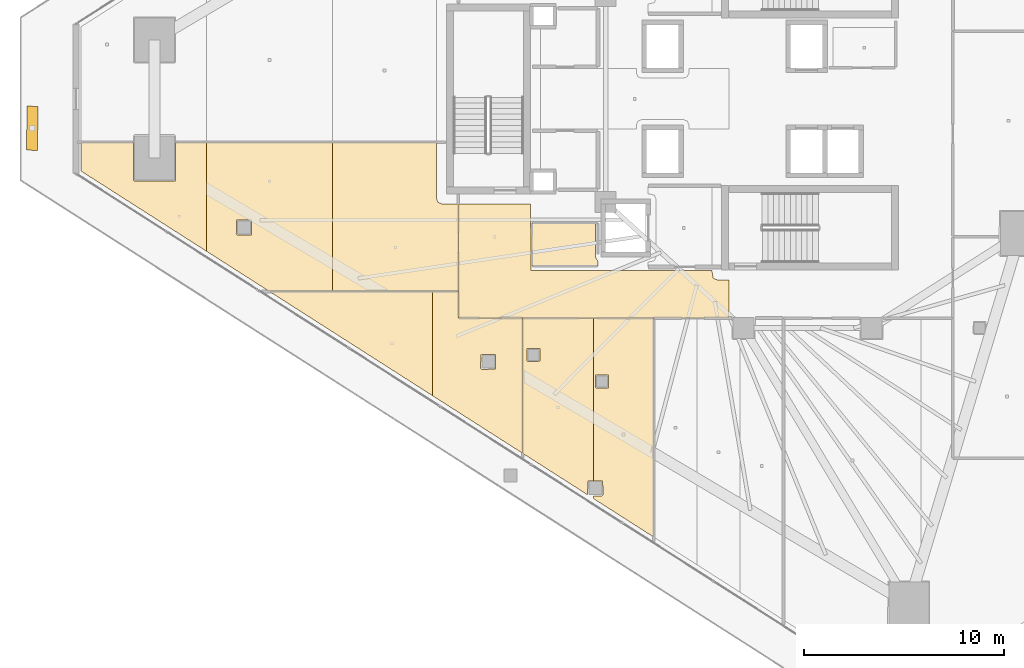
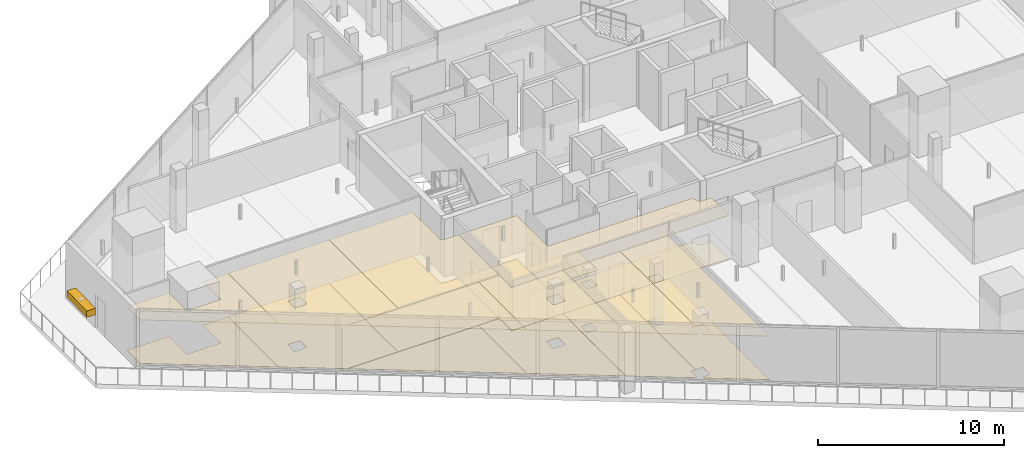
# One storey, part 31 of 38: 17 coverings, 1 shading device.
"""IFC4 building model written with IfcOpenShell, lengths in metres."""

from ifc_helpers import new_model, si_unit, direction, frame, origin, origin_2d, place, context, subcontext, project, spatial, polyline, rectangle, outline, extrude, material, layer, layer_set, type_object, element, save


model = new_model("IFC4")

# Units and contexts
model_context = context("Model", 3, precision=1e-05, world=origin(), true_north=direction((0.0, 1.0)))
body_context = subcontext(model_context, "Body", "Model", "MODEL_VIEW")
ifc_project = project(units=[si_unit("LENGTHUNIT", "METRE"), si_unit("AREAUNIT", "SQUARE_METRE"), si_unit("VOLUMEUNIT", "CUBIC_METRE"), si_unit("PLANEANGLEUNIT", "RADIAN"), si_unit("MASSUNIT", "GRAM", prefix="KILO")], contexts=[model_context])

# Site, building, storey
site_placement = place(None, origin())
site = spatial("IfcSite", under=ifc_project, at=site_placement, CompositionType="ELEMENT")
building_placement = place(site_placement, origin())
building = spatial("IfcBuilding", under=site, at=building_placement, Name="Qorvath Tower", CompositionType="ELEMENT")
storey_placement = place(building_placement, frame((0.0, 0.0, 146.25)))
storey = spatial("IfcBuildingStorey", under=building, at=storey_placement, Name="L33", CompositionType="ELEMENT", Elevation=146.25)

# Coverings
ifc_material_1 = material(Name="Acoustic mineral fibre ceiling tile", Category="gypsum")
ifc_layer_1 = layer(ifc_material_1, 0.030029296875)
ifc_layer_set_1 = layer_set([ifc_layer_1], Name="COV-CEIL")
covering_type_1 = type_object("IfcCoveringType", Name="COV-CEIL", PredefinedType="CEILING", material=ifc_layer_set_1)
covering_1_placement = place(storey_placement, frame((0.0, 0.0, 2.85009765625)))
element("IfcCovering", 1, at=covering_1_placement, inside=storey, type_object=covering_type_1, Name="L33 Suspended Acoustic Ceiling 008", PredefinedType="CEILING", context=body_context, shape_type="SweptSolid", body=[
    extrude(outline(polyline([(-34.22509765625, -8.580078125), (-34.251220703125, -5.239990234375), (-37.844970703125, -5.239990234375), (-37.844970703125, -10.945068359375), (-24.32080078125, -10.945068359375), (-24.32080078125, -9.0400390625), (-24.93994140625, -9.0400390625), (-25.11669921875, -8.966796875), (-25.18994140625, -8.57421875), (-34.22509765625, -8.580078125)])), origin(), (0.0, 0.0, 1.0), 0.030029296875),
])
covering_2_placement = place(storey_placement, frame((0.0, 0.0, 2.85009765625)))
element("IfcCovering", 2, at=covering_2_placement, inside=storey, type_object=covering_type_1, Name="L33 Suspended Acoustic Ceiling 021", PredefinedType="CEILING", context=body_context, shape_type="SweptSolid", body=[
    extrude(outline(polyline([(-31.1005859375, -19.093017578125), (-31.1005859375, -10.962890625), (-34.64501953125, -10.962890625), (-34.64501953125, -17.715087890625), (-31.3994140625, -19.78955078125), (-31.383544921875, -19.093017578125), (-31.1005859375, -19.093017578125)]), holes=[polyline([(-34.439208984375, -13.0673828125), (-34.421630859375, -12.47509765625), (-33.786865234375, -12.47509765625), (-33.786865234375, -13.10986328125), (-34.379150390625, -13.12744140625), (-34.439208984375, -13.0673828125)])]), origin(), (0.0, 0.0, 1.0), 0.030029296875),
])
covering_3_placement = place(storey_placement, frame((0.0, 0.0, 2.85009765625)))
element("IfcCovering", 3, at=covering_3_placement, inside=storey, type_object=covering_type_1, Name="L33 Suspended Acoustic Ceiling 022", PredefinedType="CEILING", context=body_context, shape_type="SweptSolid", body=[
    extrude(outline(polyline([(-30.691162109375, -19.845458984375), (-31.1005859375, -19.845458984375), (-31.1005859375, -19.98046875), (-28.106689453125, -21.89404296875), (-28.106689453125, -10.962890625), (-31.1005859375, -10.962890625), (-31.1005859375, -19.093017578125), (-30.648681640625, -19.093017578125), (-30.631103515625, -19.785400390625), (-30.691162109375, -19.845458984375)]), holes=[polyline([(-31.01220703125, -14.3994140625), (-30.99462890625, -13.806884765625), (-30.35986328125, -13.806884765625), (-30.35986328125, -14.441650390625), (-30.9521484375, -14.459228515625), (-31.01220703125, -14.3994140625)])]), origin(), (0.0, 0.0, 1.0), 0.030029296875),
])
covering_4_placement = place(storey_placement, frame((0.0, 0.0, 2.85009765625)))
element("IfcCovering", 4, at=covering_4_placement, inside=storey, type_object=covering_type_1, Name="L33 Suspended Acoustic Ceiling 038", PredefinedType="CEILING", context=body_context, shape_type="SweptSolid", body=[
    extrude(outline(polyline([(-39.1455078125, -14.838623046875), (-39.1455078125, -9.62841796875), (-47.297607421875, -9.62841796875), (-39.1455078125, -14.838623046875)])), origin(), (0.0, 0.0, 1.0), 0.030029296875),
])
covering_5_placement = place(storey_placement, frame((0.0, 0.0, 2.85009765625)))
element("IfcCovering", 5, at=covering_5_placement, inside=storey, type_object=covering_type_1, Name="L33 Suspended Acoustic Ceiling 039", PredefinedType="CEILING", context=body_context, shape_type="SweptSolid", body=[
    extrude(outline(polyline([(-37.863037109375, -10.9580078125), (-37.863037109375, -9.62841796875), (-39.1455078125, -9.62841796875), (-39.1455078125, -14.838623046875), (-34.6630859375, -17.70361328125), (-34.6630859375, -10.962890625), (-37.863037109375, -10.9580078125)]), holes=[polyline([(-36.749755859375, -13.46044921875), (-36.732177734375, -12.76806640625), (-35.997314453125, -12.76806640625), (-35.997314453125, -13.5029296875), (-36.689697265625, -13.5205078125), (-36.749755859375, -13.46044921875)])]), origin(), (0.0, 0.0, 1.0), 0.030029296875),
])
covering_6_placement = place(storey_placement, frame((0.0, 0.0, 2.85009765625)))
element("IfcCovering", 6, at=covering_6_placement, inside=storey, type_object=covering_type_1, Name="L33 Suspended Acoustic Ceiling 040", PredefinedType="CEILING", context=body_context, shape_type="SweptSolid", body=[
    extrude(outline(polyline([(-50.441162109375, -7.619384765625), (-50.441162109375, -2.1689453125), (-51.989501953125, -2.1689453125), (-52.007080078125, -4.09326171875), (-54.04931640625, -4.11083984375), (-54.109375, -4.05078125), (-54.109375, -2.1689453125), (-56.72998046875, -2.1689453125), (-56.72998046875, -3.599853515625), (-50.441162109375, -7.619384765625)])), origin(), (0.0, 0.0, 1.0), 0.030029296875),
])
covering_7_placement = place(storey_placement, frame((0.0, 0.0, 2.85009765625)))
element("IfcCovering", 7, at=covering_7_placement, inside=storey, type_object=covering_type_1, Name="L33 Suspended Acoustic Ceiling 041", PredefinedType="CEILING", context=body_context, shape_type="SweptSolid", body=[
    extrude(outline(polyline([(-44.152099609375, -9.6103515625), (-44.152099609375, -2.1689453125), (-50.441162109375, -2.1689453125), (-50.441162109375, -7.619384765625), (-47.325927734375, -9.6103515625), (-44.152099609375, -9.6103515625)]), holes=[polyline([(-48.96337890625, -6.74951171875), (-48.94580078125, -6.05712890625), (-48.2109375, -6.05712890625), (-48.2109375, -6.7919921875), (-48.9033203125, -6.8095703125), (-48.96337890625, -6.74951171875)])]), origin(), (0.0, 0.0, 1.0), 0.030029296875),
])
covering_8_placement = place(storey_placement, frame((0.0, 0.0, 2.85009765625)))
element("IfcCovering", 8, at=covering_8_placement, inside=storey, type_object=covering_type_1, Name="L33 Suspended Acoustic Ceiling 042", PredefinedType="CEILING", context=body_context, shape_type="SweptSolid", body=[
    extrude(outline(polyline([(-37.863037109375, -9.6103515625), (-37.863037109375, -5.239990234375), (-38.699951171875, -5.239990234375), (-38.876708984375, -5.166748046875), (-38.949951171875, -4.989990234375), (-38.949951171875, -2.1689453125), (-44.152099609375, -2.1689453125), (-44.152099609375, -9.6103515625), (-37.863037109375, -9.6103515625)])), origin(), (0.0, 0.0, 1.0), 0.030029296875),
])
ifc_material_2 = material(Name="Low-VOC modular carpet tile", Category="textile")
ifc_layer_2 = layer(ifc_material_2, 0.014892578125)
ifc_layer_set_2 = layer_set([ifc_layer_2], Name="COV-FLOOR-CPT")
covering_type_2 = type_object("IfcCoveringType", Name="COV-FLOOR-CPT", PredefinedType="FLOORING", material=ifc_layer_set_2)
covering_9_placement = place(storey_placement, origin())
element("IfcCovering", 9, at=covering_9_placement, inside=storey, type_object=covering_type_2, Name="L33 Floor Finish 021", PredefinedType="FLOORING", context=body_context, shape_type="SweptSolid", body=[
    extrude(outline(polyline([(-31.1005859375, -19.093017578125), (-31.1005859375, -10.962890625), (-34.64501953125, -10.962890625), (-34.64501953125, -17.715087890625), (-31.3994140625, -19.78955078125), (-31.383544921875, -19.093017578125), (-31.1005859375, -19.093017578125)]), holes=[polyline([(-34.439208984375, -13.0673828125), (-34.421630859375, -12.47509765625), (-33.786865234375, -12.47509765625), (-33.786865234375, -13.10986328125), (-34.379150390625, -13.12744140625), (-34.439208984375, -13.0673828125)])]), origin(), (0.0, 0.0, 1.0), 0.014892578125),
])
covering_10_placement = place(storey_placement, origin())
element("IfcCovering", 10, at=covering_10_placement, inside=storey, type_object=covering_type_2, Name="L33 Floor Finish 022", PredefinedType="FLOORING", context=body_context, shape_type="SweptSolid", body=[
    extrude(outline(polyline([(-30.691162109375, -19.845458984375), (-31.1005859375, -19.845458984375), (-31.1005859375, -19.98046875), (-28.106689453125, -21.89404296875), (-28.106689453125, -10.962890625), (-31.1005859375, -10.962890625), (-31.1005859375, -19.093017578125), (-30.648681640625, -19.093017578125), (-30.631103515625, -19.785400390625), (-30.691162109375, -19.845458984375)]), holes=[polyline([(-31.01220703125, -14.3994140625), (-30.99462890625, -13.806884765625), (-30.35986328125, -13.806884765625), (-30.35986328125, -14.441650390625), (-30.9521484375, -14.459228515625), (-31.01220703125, -14.3994140625)])]), origin(), (0.0, 0.0, 1.0), 0.014892578125),
])
covering_11_placement = place(storey_placement, origin())
element("IfcCovering", 11, at=covering_11_placement, inside=storey, type_object=covering_type_2, Name="L33 Floor Finish 038", PredefinedType="FLOORING", context=body_context, shape_type="SweptSolid", body=[
    extrude(outline(polyline([(-39.1455078125, -14.838623046875), (-39.1455078125, -9.62841796875), (-47.297607421875, -9.62841796875), (-39.1455078125, -14.838623046875)])), origin(), (0.0, 0.0, 1.0), 0.014892578125),
])
covering_12_placement = place(storey_placement, origin())
element("IfcCovering", 12, at=covering_12_placement, inside=storey, type_object=covering_type_2, Name="L33 Floor Finish 039", PredefinedType="FLOORING", context=body_context, shape_type="SweptSolid", body=[
    extrude(outline(polyline([(-37.863037109375, -10.9580078125), (-37.863037109375, -9.62841796875), (-39.1455078125, -9.62841796875), (-39.1455078125, -14.838623046875), (-34.6630859375, -17.70361328125), (-34.6630859375, -10.962890625), (-37.863037109375, -10.9580078125)]), holes=[polyline([(-36.749755859375, -13.46044921875), (-36.732177734375, -12.76806640625), (-35.997314453125, -12.76806640625), (-35.997314453125, -13.5029296875), (-36.689697265625, -13.5205078125), (-36.749755859375, -13.46044921875)])]), origin(), (0.0, 0.0, 1.0), 0.014892578125),
])
covering_13_placement = place(storey_placement, origin())
element("IfcCovering", 13, at=covering_13_placement, inside=storey, type_object=covering_type_2, Name="L33 Floor Finish 040", PredefinedType="FLOORING", context=body_context, shape_type="SweptSolid", body=[
    extrude(outline(polyline([(-50.441162109375, -7.619384765625), (-50.441162109375, -2.1689453125), (-51.989501953125, -2.1689453125), (-52.007080078125, -4.09326171875), (-54.04931640625, -4.11083984375), (-54.109375, -4.05078125), (-54.109375, -2.1689453125), (-56.72998046875, -2.1689453125), (-56.72998046875, -3.599853515625), (-50.441162109375, -7.619384765625)])), origin(), (0.0, 0.0, 1.0), 0.014892578125),
])
covering_14_placement = place(storey_placement, origin())
element("IfcCovering", 14, at=covering_14_placement, inside=storey, type_object=covering_type_2, Name="L33 Floor Finish 041", PredefinedType="FLOORING", context=body_context, shape_type="SweptSolid", body=[
    extrude(outline(polyline([(-44.152099609375, -9.6103515625), (-44.152099609375, -2.1689453125), (-50.441162109375, -2.1689453125), (-50.441162109375, -7.619384765625), (-47.325927734375, -9.6103515625), (-44.152099609375, -9.6103515625)]), holes=[polyline([(-48.96337890625, -6.74951171875), (-48.94580078125, -6.05712890625), (-48.2109375, -6.05712890625), (-48.2109375, -6.7919921875), (-48.9033203125, -6.8095703125), (-48.96337890625, -6.74951171875)])]), origin(), (0.0, 0.0, 1.0), 0.014892578125),
])
covering_15_placement = place(storey_placement, origin())
element("IfcCovering", 15, at=covering_15_placement, inside=storey, type_object=covering_type_2, Name="L33 Floor Finish 042", PredefinedType="FLOORING", context=body_context, shape_type="SweptSolid", body=[
    extrude(outline(polyline([(-37.863037109375, -9.6103515625), (-37.863037109375, -5.239990234375), (-38.699951171875, -5.239990234375), (-38.876708984375, -5.166748046875), (-38.949951171875, -4.989990234375), (-38.949951171875, -2.1689453125), (-44.152099609375, -2.1689453125), (-44.152099609375, -9.6103515625), (-37.863037109375, -9.6103515625)])), origin(), (0.0, 0.0, 1.0), 0.014892578125),
])
ifc_material_3 = material(Name="Polished epoxy terrazzo flooring", Category="concrete")
ifc_layer_3 = layer(ifc_material_3, 0.02001953125)
ifc_layer_set_3 = layer_set([ifc_layer_3], Name="COV-FLOOR-TRZ")
covering_type_3 = type_object("IfcCoveringType", Name="COV-FLOOR-TRZ", PredefinedType="FLOORING", material=ifc_layer_set_3)
covering_16_placement = place(storey_placement, origin())
element("IfcCovering", 16, at=covering_16_placement, inside=storey, type_object=covering_type_3, Name="L33 Floor Finish 006", PredefinedType="FLOORING", context=body_context, shape_type="SweptSolid", body=[
    extrude(outline(polyline([(-30.885009765625, -8.344970703125), (-30.885009765625, -8.108154296875), (-31.010009765625, -7.909912109375), (-31.010009765625, -6.205078125), (-34.175048828125, -6.205078125), (-34.175048828125, -8.344970703125), (-30.885009765625, -8.344970703125)])), origin(), (0.0, 0.0, 1.0), 0.014892578125),
])
covering_17_placement = place(storey_placement, origin())
element("IfcCovering", 17, at=covering_17_placement, inside=storey, type_object=covering_type_3, Name="L33 Floor Finish 008", PredefinedType="FLOORING", context=body_context, shape_type="SweptSolid", body=[
    extrude(outline(polyline([(-34.22509765625, -8.580078125), (-34.251220703125, -5.239990234375), (-37.844970703125, -5.239990234375), (-37.844970703125, -10.945068359375), (-24.32080078125, -10.945068359375), (-24.32080078125, -9.0400390625), (-24.93994140625, -9.0400390625), (-25.11669921875, -8.966796875), (-25.18994140625, -8.57421875), (-34.22509765625, -8.580078125)])), origin(), (0.0, 0.0, 1.0), 0.014892578125),
])

# Shading device
ifc_material_4 = material(Name="Anodised bronze-champagne aluminium", Category="aluminium")
shading_device_type = type_object("IfcShadingDeviceType", Name="SD-LOUVRE", PredefinedType="JALOUSIE", material=ifc_material_4)
shading_device_placement = place(storey_placement, frame((-59.15869140625, -1.46630859375, 3.360107421875), z_axis=(0.0, 0.0, 1.0), x_axis=(-0.018501179765, -0.999828838526, 0.0)))
element("IfcShadingDevice", 18, at=shading_device_placement, inside=storey, type_object=shading_device_type, Name="Sinusoidal Wave Louvre Blade L33-01", PredefinedType="NOTDEFINED", context=body_context, shape_type="SweptSolid", body=[
    extrude(rectangle(XDim=2.199951171875, YDim=0.550048828125, at=origin_2d()), origin(), (0.0, 0.0, 1.0), 0.419921875),
])

save(model, "model.ifc")
